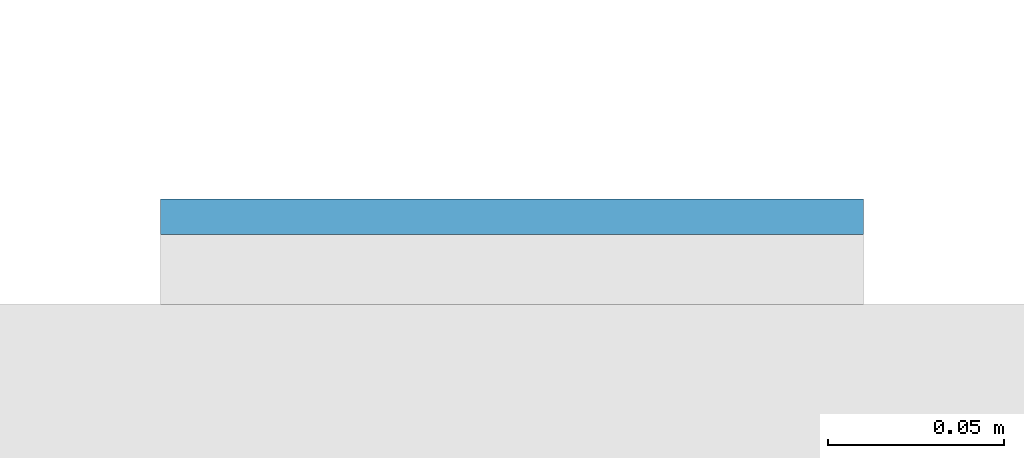
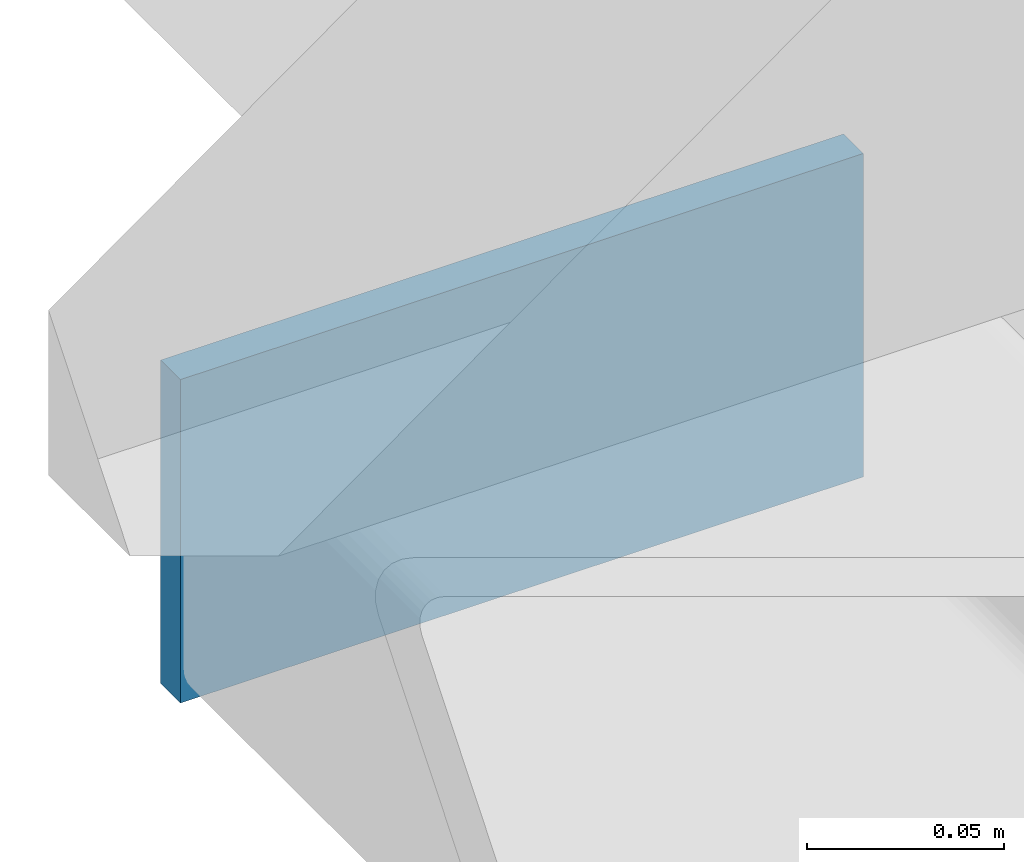
# One storey, part 9 of 20: 1 plate.
"""IFC4 building model written with IfcOpenShell, lengths in metres."""

from ifc_helpers import new_model, si_unit, direction, frame, origin, origin_2d, place, context, subcontext, project, spatial, rectangle, extrude, material, layer, layer_set, type_object, element, save


model = new_model("IFC4")

# Units and contexts
model_context = context("Model", 3, precision=1e-05, world=origin(), true_north=direction((0.0, 1.0)))
body_context = subcontext(model_context, "Body", "Model", "MODEL_VIEW")
ifc_project = project(units=[si_unit("LENGTHUNIT", "METRE"), si_unit("AREAUNIT", "SQUARE_METRE"), si_unit("VOLUMEUNIT", "CUBIC_METRE"), si_unit("PLANEANGLEUNIT", "RADIAN"), si_unit("MASSUNIT", "GRAM", prefix="KILO")], contexts=[model_context])

# Site, building, storey
site_placement = place(None, origin())
site = spatial("IfcSite", under=ifc_project, at=site_placement, CompositionType="ELEMENT")
building_placement = place(site_placement, origin())
building = spatial("IfcBuilding", under=site, at=building_placement, Name="Cleftline Residences", CompositionType="ELEMENT")
storey_placement = place(building_placement, frame((0.0, 0.0, 193.0)))
storey = spatial("IfcBuildingStorey", under=building, at=storey_placement, Name="L50", CompositionType="ELEMENT", Elevation=193.0)

# Plate
ifc_material = material(Name="Steel S355, hot-dip galvanised", Category="steel")
ifc_layer = layer(ifc_material, 0.010009765625)
ifc_layer_set = layer_set([ifc_layer], Name="BAGUETTE CARRIER END PLATE 200X100X10")
plate_type = type_object("IfcPlateType", Name="BAGUETTE CARRIER END PLATE 200X100X10", PredefinedType="USERDEFINED", material=ifc_layer_set)
plate_placement = place(storey_placement, frame((-0.85009765625, 44.304931640625, -0.10009765625), z_axis=(0.0, 0.0, 1.0), x_axis=(-1.0, 0.0, 0.0)))
element("IfcPlate", 1, at=plate_placement, inside=storey, type_object=plate_type, Name="Baguette carrier end plate", ObjectType="BAGUETTE CARRIER END PLATE", PredefinedType="USERDEFINED", context=body_context, shape_type="SweptSolid", body=[
    extrude(rectangle(XDim=0.199951171875, YDim=0.010009765625, at=origin_2d()), origin(), (0.0, 0.0, 1.0), 0.10009765625),
])

save(model, "model.ifc")
